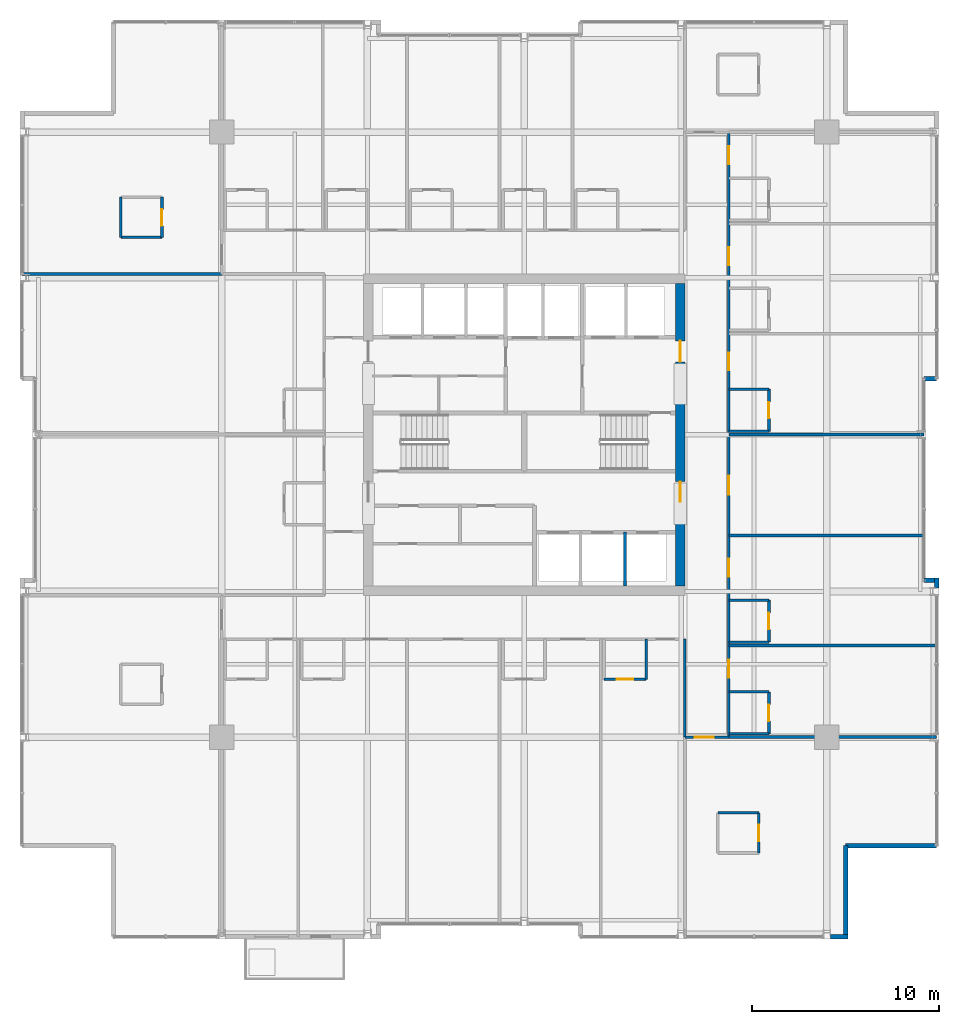
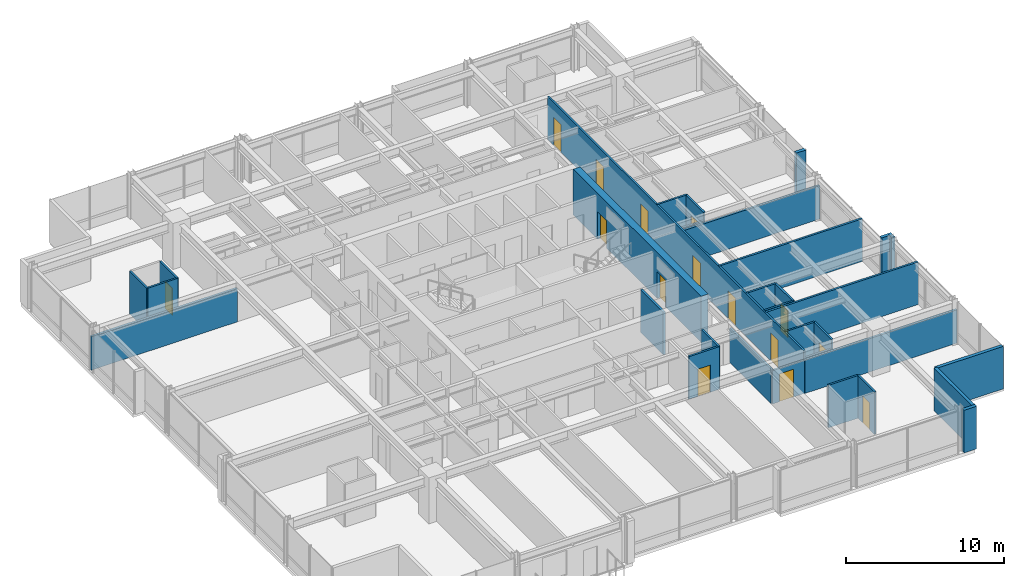
# One storey, part 28 of 32: 32 walls, 15 doors, 15 openings.
"""IFC4 building model written with IfcOpenShell, lengths in metres."""

from ifc_helpers import new_model, si_unit, direction, frame, frame_2d, origin, place, context, subcontext, project, spatial, rectangle, extrude, material, layer, layer_set, type_object, element, fill, save


model = new_model("IFC4")

# Units and contexts
model_context = context("Model", 3, precision=1e-05, world=origin(), true_north=direction((0.0, 1.0)))
body_context = subcontext(model_context, "Body", "Model", "MODEL_VIEW")
ifc_project = project(units=[si_unit("LENGTHUNIT", "METRE"), si_unit("AREAUNIT", "SQUARE_METRE"), si_unit("VOLUMEUNIT", "CUBIC_METRE"), si_unit("PLANEANGLEUNIT", "RADIAN"), si_unit("MASSUNIT", "GRAM", prefix="KILO")], contexts=[model_context])

# Site, building, storey
site_placement = place(None, origin())
site = spatial("IfcSite", under=ifc_project, at=site_placement, CompositionType="ELEMENT")
building_placement = place(site_placement, origin())
building = spatial("IfcBuilding", under=site, at=building_placement, Name="Drelvath Grand Hotel", CompositionType="ELEMENT")
storey_placement = place(building_placement, frame((0.0, 0.0, 157.5)))
storey = spatial("IfcBuildingStorey", under=building, at=storey_placement, Name="L40", CompositionType="ELEMENT", Elevation=157.5)

# Walls
ifc_material_1 = material(Name="Gypsum Fireboard Partition")
ifc_layer_1 = layer(ifc_material_1, 0.1650390625)
ifc_layer_set_1 = layer_set([ifc_layer_1], Name="Gypsum Fireboard Partition")
wall_type_1 = type_object("IfcWallType", Name="Core Shaft Partition 165", PredefinedType="PARTITIONING", material=ifc_layer_set_1)
wall_1_placement = place(storey_placement, frame((5.39990234375, 18.89990234375, 0.0), z_axis=(0.0, 0.0, 1.0), x_axis=(0.0, 1.0, 0.0)))
element("IfcWall", 1, at=wall_1_placement, inside=storey, type_object=wall_type_1, Name="L40 Lift PE-5/6 Divider", PredefinedType="PARTITIONING", context=body_context, shape_type="SweptSolid", body=[
    extrude(rectangle(XDim=2.880126953125, YDim=0.1650390625, at=frame_2d((1.43994140625, 0.0))), origin(), (0.0, 0.0, 1.0), 3.2900390625),
])
ifc_layer_2 = layer(ifc_material_1, 0.135009765625)
ifc_layer_set_2 = layer_set([ifc_layer_2], Name="Gypsum Fireboard Partition")
wall_type_2 = type_object("IfcWallType", Name="Corridor Fire Barrier Wall 135", PredefinedType="PARTITIONING", material=ifc_layer_set_2)
wall_2_placement = place(storey_placement, frame((8.60009765625, 10.800048828125, 0.0), z_axis=(0.0, 0.0, 1.0), x_axis=(0.0, 1.0, 0.0)))
element("IfcWall", 2, at=wall_2_placement, inside=storey, type_object=wall_type_2, Name="L40 East Spine South Inner Wall", PredefinedType="PARTITIONING", context=body_context, shape_type="SweptSolid", body=[
    extrude(rectangle(XDim=5.25, YDim=0.135009765625, at=frame_2d((2.625, 0.0))), origin(), (0.0, 0.0, 1.0), 2.66748046875),
])

# Wall, openings, doors
wall_3_placement = place(storey_placement, frame((10.949951171875, 10.800048828125, 0.0), z_axis=(0.0, 0.0, 1.0), x_axis=(0.0, 1.0, 0.0)))
wall_3 = element("IfcWall", 3, at=wall_3_placement, inside=storey, type_object=wall_type_2, Name="L40 East Spine Corridor Wall", PredefinedType="PARTITIONING", context=body_context, shape_type="SweptSolid", body=[
    extrude(rectangle(XDim=32.39990234375, YDim=0.135009765625, at=frame_2d((16.199951171875, 0.0))), origin(), (0.0, 0.0, 1.0), 3.2900390625),
])
opening_1_placement = place(wall_3_placement, frame((3.189453125, 0.0, 0.0)))
opening_1 = element("IfcOpeningElement", 4, at=opening_1_placement, cuts=wall_3, Name="Opening D-T3G1-054", PredefinedType="OPENING", context=body_context, shape_type="SweptSolid", body=[
    extrude(rectangle(XDim=0.9599609375, YDim=2.14990234375, at=frame_2d((0.47998046875, 1.074951171875))), frame((0.0, 0.077392578125, 0.0), z_axis=(0.0, -1.0, 0.0), x_axis=(1.0, 0.0, 0.0)), (0.0, 0.0, 1.0), 0.155029296875),
])
opening_2_placement = place(wall_3_placement, frame((8.589599609375, 0.0, 0.0)))
opening_2 = element("IfcOpeningElement", 5, at=opening_2_placement, cuts=wall_3, Name="Opening D-T3G1-056", PredefinedType="OPENING", context=body_context, shape_type="SweptSolid", body=[
    extrude(rectangle(XDim=0.9599609375, YDim=2.14990234375, at=frame_2d((0.47998046875, 1.074951171875))), frame((0.0, 0.077392578125, 0.0), z_axis=(0.0, -1.0, 0.0), x_axis=(1.0, 0.0, 0.0)), (0.0, 0.0, 1.0), 0.155029296875),
])
opening_3_placement = place(wall_3_placement, frame((12.989990234375, 0.0, 0.0)))
opening_3 = element("IfcOpeningElement", 6, at=opening_3_placement, cuts=wall_3, Name="Opening D-T3G1-057", PredefinedType="OPENING", context=body_context, shape_type="SweptSolid", body=[
    extrude(rectangle(XDim=1.02001953125, YDim=2.14990234375, at=frame_2d((0.510009765625, 1.074951171875))), frame((0.0, 0.077392578125, 0.0), z_axis=(0.0, -1.0, 0.0), x_axis=(1.0, 0.0, 0.0)), (0.0, 0.0, 1.0), 0.155029296875),
])
opening_4_placement = place(wall_3_placement, frame((19.635009765625, 0.0, 0.0)))
opening_4 = element("IfcOpeningElement", 7, at=opening_4_placement, cuts=wall_3, Name="Opening D-T3G1-059", PredefinedType="OPENING", context=body_context, shape_type="SweptSolid", body=[
    extrude(rectangle(XDim=0.9599609375, YDim=2.14990234375, at=frame_2d((0.47998046875, 1.074951171875))), frame((0.0, 0.077392578125, 0.0), z_axis=(0.0, -1.0, 0.0), x_axis=(1.0, 0.0, 0.0)), (0.0, 0.0, 1.0), 0.155029296875),
])
opening_5_placement = place(wall_3_placement, frame((25.280517578125, 0.0, 0.0)))
opening_5 = element("IfcOpeningElement", 8, at=opening_5_placement, cuts=wall_3, Name="Opening D-T3G1-061", PredefinedType="OPENING", context=body_context, shape_type="SweptSolid", body=[
    extrude(rectangle(XDim=0.9599609375, YDim=2.14990234375, at=frame_2d((0.47998046875, 1.074951171875))), frame((0.0, 0.077392578125, 0.0), z_axis=(0.0, -1.0, 0.0), x_axis=(1.0, 0.0, 0.0)), (0.0, 0.0, 1.0), 0.155029296875),
])
opening_6_placement = place(wall_3_placement, frame((30.680419921875, 0.0, 0.0)))
opening_6 = element("IfcOpeningElement", 9, at=opening_6_placement, cuts=wall_3, Name="Opening D-T3G1-063", PredefinedType="OPENING", context=body_context, shape_type="SweptSolid", body=[
    extrude(rectangle(XDim=0.9599609375, YDim=2.14990234375, at=frame_2d((0.47998046875, 1.074951171875))), frame((0.0, 0.077392578125, 0.0), z_axis=(0.0, -1.0, 0.0), x_axis=(1.0, 0.0, 0.0)), (0.0, 0.0, 1.0), 0.155029296875),
])
ifc_material_2 = material(Name="Hardwood Walnut Timber", Category="wood")
door_type_1 = type_object("IfcDoorType", Name="Amenity Meeting Fire Door 1020x2150", OperationType="NOTDEFINED", PredefinedType="DOOR", material=ifc_material_2)
door_1_placement = place(opening_3_placement, origin())
door_1 = element("IfcDoor", 10, at=door_1_placement, inside=storey, type_object=door_type_1, Name="L40 Spa Treatment Room Entry Door", OperationType="SINGLE_SWING_LEFT", OverallHeight=2.14990234375, OverallWidth=1.02001953125, PredefinedType="DOOR", context=body_context, shape_type="SweptSolid", body=[
    extrude(rectangle(XDim=1.02001953125, YDim=2.14990234375, at=frame_2d((0.510009765625, 1.074951171875))), frame((0.0, 0.02490234375, 0.0), z_axis=(0.0, -1.0, 0.0), x_axis=(1.0, 0.0, 0.0)), (0.0, 0.0, 1.0), 0.050048828125),
])
fill(opening_3, door_1)
door_type_2 = type_object("IfcDoorType", Name="Guestroom Entrance Fire Door 960x2150", OperationType="NOTDEFINED", PredefinedType="DOOR", material=ifc_material_2)
door_2_placement = place(opening_1_placement, origin())
door_2 = element("IfcDoor", 11, at=door_2_placement, inside=storey, type_object=door_type_2, Name="L40 King Guest Room Entry Door", OperationType="SINGLE_SWING_RIGHT", OverallHeight=2.14990234375, OverallWidth=0.9599609375, PredefinedType="DOOR", context=body_context, shape_type="SweptSolid", body=[
    extrude(rectangle(XDim=0.9599609375, YDim=2.14990234375, at=frame_2d((0.47998046875, 1.074951171875))), frame((0.0, 0.02490234375, 0.0), z_axis=(0.0, -1.0, 0.0), x_axis=(1.0, 0.0, 0.0)), (0.0, 0.0, 1.0), 0.050048828125),
])
fill(opening_1, door_2)
door_3_placement = place(opening_2_placement, origin())
door_3 = element("IfcDoor", 12, at=door_3_placement, inside=storey, type_object=door_type_2, Name="L40 King Guest Room Entry Door", OperationType="SINGLE_SWING_RIGHT", OverallHeight=2.14990234375, OverallWidth=0.9599609375, PredefinedType="DOOR", context=body_context, shape_type="SweptSolid", body=[
    extrude(rectangle(XDim=0.9599609375, YDim=2.14990234375, at=frame_2d((0.47998046875, 1.074951171875))), frame((0.0, 0.02490234375, 0.0), z_axis=(0.0, -1.0, 0.0), x_axis=(1.0, 0.0, 0.0)), (0.0, 0.0, 1.0), 0.050048828125),
])
fill(opening_2, door_3)
door_4_placement = place(opening_4_placement, origin())
door_4 = element("IfcDoor", 13, at=door_4_placement, inside=storey, type_object=door_type_2, Name="L40 King Guest Room Entry Door", OperationType="SINGLE_SWING_LEFT", OverallHeight=2.14990234375, OverallWidth=0.9599609375, PredefinedType="DOOR", context=body_context, shape_type="SweptSolid", body=[
    extrude(rectangle(XDim=0.9599609375, YDim=2.14990234375, at=frame_2d((0.47998046875, 1.074951171875))), frame((0.0, 0.02490234375, 0.0), z_axis=(0.0, -1.0, 0.0), x_axis=(1.0, 0.0, 0.0)), (0.0, 0.0, 1.0), 0.050048828125),
])
fill(opening_4, door_4)
door_5_placement = place(opening_5_placement, origin())
door_5 = element("IfcDoor", 14, at=door_5_placement, inside=storey, type_object=door_type_2, Name="L40 King Guest Room Entry Door", OperationType="SINGLE_SWING_LEFT", OverallHeight=2.14990234375, OverallWidth=0.9599609375, PredefinedType="DOOR", context=body_context, shape_type="SweptSolid", body=[
    extrude(rectangle(XDim=0.9599609375, YDim=2.14990234375, at=frame_2d((0.47998046875, 1.074951171875))), frame((0.0, 0.02490234375, 0.0), z_axis=(0.0, -1.0, 0.0), x_axis=(1.0, 0.0, 0.0)), (0.0, 0.0, 1.0), 0.050048828125),
])
fill(opening_5, door_5)
door_6_placement = place(opening_6_placement, origin())
door_6 = element("IfcDoor", 15, at=door_6_placement, inside=storey, type_object=door_type_2, Name="L40 King Guest Room Entry Door", OperationType="SINGLE_SWING_LEFT", OverallHeight=2.14990234375, OverallWidth=0.9599609375, PredefinedType="DOOR", context=body_context, shape_type="SweptSolid", body=[
    extrude(rectangle(XDim=0.9599609375, YDim=2.14990234375, at=frame_2d((0.47998046875, 1.074951171875))), frame((0.0, 0.02490234375, 0.0), z_axis=(0.0, -1.0, 0.0), x_axis=(1.0, 0.0, 0.0)), (0.0, 0.0, 1.0), 0.050048828125),
])
fill(opening_6, door_6)

# Wall, opening, door
wall_4_placement = place(storey_placement, frame((8.60009765625, 10.800048828125, 0.0), z_axis=(0.0, 0.0, 1.0), x_axis=(1.0, 0.0, 0.0)))
wall_4 = element("IfcWall", 16, at=wall_4_placement, inside=storey, type_object=wall_type_2, Name="L40 East Spine South End", PredefinedType="PARTITIONING", context=body_context, shape_type="SweptSolid", body=[
    extrude(rectangle(XDim=2.349853515625, YDim=0.135009765625, at=frame_2d((1.1748046875, 0.0))), origin(), (0.0, 0.0, 1.0), 2.57958984375),
])
opening_7_placement = place(wall_4_placement, frame((0.52001953125, 0.0, 0.0)))
opening_7 = element("IfcOpeningElement", 17, at=opening_7_placement, cuts=wall_4, Name="Opening D-T3G1-031", PredefinedType="OPENING", context=body_context, shape_type="SweptSolid", body=[
    extrude(rectangle(XDim=1.02001953125, YDim=2.14990234375, at=frame_2d((0.510009765625, 1.074951171875))), frame((0.0, 0.077392578125, 0.0), z_axis=(0.0, -1.0, 0.0), x_axis=(1.0, 0.0, 0.0)), (0.0, 0.0, 1.0), 0.155029296875),
])
door_7_placement = place(opening_7_placement, origin())
door_7 = element("IfcDoor", 18, at=door_7_placement, inside=storey, type_object=door_type_1, Name="L40 Executive Suite Entry Door", OperationType="SINGLE_SWING_LEFT", OverallHeight=2.14990234375, OverallWidth=1.02001953125, PredefinedType="DOOR", context=body_context, shape_type="SweptSolid", body=[
    extrude(rectangle(XDim=1.02001953125, YDim=2.14990234375, at=frame_2d((0.510009765625, 1.074951171875))), frame((0.0, 0.02490234375, 0.0), z_axis=(0.0, -1.0, 0.0), x_axis=(1.0, 0.0, 0.0)), (0.0, 0.0, 1.0), 0.050048828125),
])
fill(opening_7, door_7)

# Walls
ifc_material_3 = material(Name="Moisture-Resistant Gypsum Board")
ifc_layer_3 = layer(ifc_material_3, 0.139892578125)
ifc_layer_set_3 = layer_set([ifc_layer_3], Name="Moisture-Resistant Gypsum Board")
wall_type_3 = type_object("IfcWallType", Name="En-Suite Plumbing Wall 140", PredefinedType="PLUMBINGWALL", material=ifc_layer_set_3)
wall_5_placement = place(storey_placement, frame((-21.60009765625, 37.56005859375, 0.0), z_axis=(0.0, 0.0, 1.0), x_axis=(1.0, 0.0, 0.0)))
element("IfcWall", 19, at=wall_5_placement, inside=storey, type_object=wall_type_3, Name="L40 Corner En-Suite South", PredefinedType="PLUMBINGWALL", context=body_context, shape_type="SweptSolid", body=[
    extrude(rectangle(XDim=2.2001953125, YDim=0.139892578125, at=frame_2d((1.10009765625, 0.0))), origin(), (0.0, 0.0, 1.0), 3.2900390625),
])
wall_6_placement = place(storey_placement, frame((-21.60009765625, 37.56005859375, 0.0), z_axis=(0.0, 0.0, 1.0), x_axis=(0.0, 1.0, 0.0)))
element("IfcWall", 20, at=wall_6_placement, inside=storey, type_object=wall_type_3, Name="L40 Corner En-Suite West", PredefinedType="PLUMBINGWALL", context=body_context, shape_type="SweptSolid", body=[
    extrude(rectangle(XDim=2.14990234375, YDim=0.139892578125, at=frame_2d((1.074951171875, 0.0))), origin(), (0.0, 0.0, 1.0), 3.2900390625),
])

# Wall, opening, door
wall_7_placement = place(storey_placement, frame((-19.39990234375, 37.56005859375, 0.0), z_axis=(0.0, 0.0, 1.0), x_axis=(0.0, 1.0, 0.0)))
wall_7 = element("IfcWall", 21, at=wall_7_placement, inside=storey, type_object=wall_type_3, Name="L40 Corner En-Suite East", PredefinedType="PLUMBINGWALL", context=body_context, shape_type="SweptSolid", body=[
    extrude(rectangle(XDim=2.14990234375, YDim=0.139892578125, at=frame_2d((1.074951171875, 0.0))), origin(), (0.0, 0.0, 1.0), 3.2900390625),
])
opening_8_placement = place(wall_7_placement, frame((0.6201171875, 0.0, 0.0)))
opening_8 = element("IfcOpeningElement", 22, at=opening_8_placement, cuts=wall_7, Name="Opening D-T3G1-028", PredefinedType="OPENING", context=body_context, shape_type="SweptSolid", body=[
    extrude(rectangle(XDim=0.8798828125, YDim=2.10009765625, at=frame_2d((0.43994140625, 1.050048828125))), frame((0.0, 0.079833984375, 0.0), z_axis=(0.0, -1.0, 0.0), x_axis=(1.0, 0.0, 0.0)), (0.0, 0.0, 1.0), 0.159912109375),
])
door_type_3 = type_object("IfcDoorType", Name="En-Suite Bathroom Door 880x2100", OperationType="NOTDEFINED", PredefinedType="DOOR", material=ifc_material_2)
door_8_placement = place(opening_8_placement, origin())
door_8 = element("IfcDoor", 23, at=door_8_placement, inside=storey, type_object=door_type_3, Name="L40 Corner En-Suite Door", OperationType="SINGLE_SWING_RIGHT", OverallHeight=2.10009765625, OverallWidth=0.8798828125, PredefinedType="DOOR", context=body_context, shape_type="SweptSolid", body=[
    extrude(rectangle(XDim=0.8798828125, YDim=2.10009765625, at=frame_2d((0.43994140625, 1.050048828125))), frame((0.0, 0.02490234375, 0.0), z_axis=(0.0, -1.0, 0.0), x_axis=(1.0, 0.0, 0.0)), (0.0, 0.0, 1.0), 0.050048828125),
])
fill(opening_8, door_8)

# Wall
wall_8_placement = place(storey_placement, frame((10.360107421875, 6.75, 0.0), z_axis=(0.0, 0.0, 1.0), x_axis=(1.0, 0.0, 0.0)))
element("IfcWall", 24, at=wall_8_placement, inside=storey, type_object=wall_type_3, Name="L40 Corner En-Suite North", PredefinedType="PLUMBINGWALL", context=body_context, shape_type="SweptSolid", body=[
    extrude(rectangle(XDim=2.199951171875, YDim=0.139892578125, at=frame_2d((1.10009765625, 0.0))), origin(), (0.0, 0.0, 1.0), 3.2900390625),
])

# Wall, opening, door
wall_9_placement = place(storey_placement, frame((12.56005859375, 4.60009765625, 0.0), z_axis=(0.0, 0.0, 1.0), x_axis=(0.0, 1.0, 0.0)))
wall_9 = element("IfcWall", 25, at=wall_9_placement, inside=storey, type_object=wall_type_3, Name="L40 Corner En-Suite East", PredefinedType="PLUMBINGWALL", context=body_context, shape_type="SweptSolid", body=[
    extrude(rectangle(XDim=2.14990234375, YDim=0.139892578125, at=frame_2d((1.074951171875, 0.0))), origin(), (0.0, 0.0, 1.0), 3.2900390625),
])
opening_9_placement = place(wall_9_placement, frame((0.6201171875, 0.0, 0.0)))
opening_9 = element("IfcOpeningElement", 26, at=opening_9_placement, cuts=wall_9, Name="Opening D-T3G1-030", PredefinedType="OPENING", context=body_context, shape_type="SweptSolid", body=[
    extrude(rectangle(XDim=0.8798828125, YDim=2.10009765625, at=frame_2d((0.43994140625, 1.050048828125))), frame((0.0, 0.079833984375, 0.0), z_axis=(0.0, -1.0, 0.0), x_axis=(1.0, 0.0, 0.0)), (0.0, 0.0, 1.0), 0.159912109375),
])
door_9_placement = place(opening_9_placement, origin())
door_9 = element("IfcDoor", 27, at=door_9_placement, inside=storey, type_object=door_type_3, Name="L40 Corner En-Suite Door", OperationType="SINGLE_SWING_RIGHT", OverallHeight=2.10009765625, OverallWidth=0.8798828125, PredefinedType="DOOR", context=body_context, shape_type="SweptSolid", body=[
    extrude(rectangle(XDim=0.8798828125, YDim=2.10009765625, at=frame_2d((0.43994140625, 1.050048828125))), frame((0.0, 0.02490234375, 0.0), z_axis=(0.0, -1.0, 0.0), x_axis=(1.0, 0.0, 0.0)), (0.0, 0.0, 1.0), 0.050048828125),
])
fill(opening_9, door_9)

# Wall
wall_10_placement = place(storey_placement, frame((6.52099609375, 16.050048828125, 0.0), z_axis=(0.0, 0.0, 1.0), x_axis=(0.0, -1.0, 0.0)))
element("IfcWall", 28, at=wall_10_placement, inside=storey, type_object=wall_type_3, Name="L40 En-Suite Right Wall", PredefinedType="PLUMBINGWALL", context=body_context, shape_type="SweptSolid", body=[
    extrude(rectangle(XDim=2.150146484375, YDim=0.139892578125, at=frame_2d((1.0751953125, 0.0))), origin(), (0.0, 0.0, 1.0), 3.2900390625),
])

# Wall, opening, door
wall_11_placement = place(storey_placement, frame((4.27099609375, 13.89990234375, 0.0), z_axis=(0.0, 0.0, 1.0), x_axis=(1.0, 0.0, 0.0)))
wall_11 = element("IfcWall", 29, at=wall_11_placement, inside=storey, type_object=wall_type_3, Name="L40 En-Suite Front Wall", PredefinedType="PLUMBINGWALL", context=body_context, shape_type="SweptSolid", body=[
    extrude(rectangle(XDim=2.25, YDim=0.139892578125, at=frame_2d((1.125, 0.0))), origin(), (0.0, 0.0, 1.0), 3.2900390625),
])
opening_10_placement = place(wall_11_placement, frame((0.68505859375, 0.0, 0.0)))
opening_10 = element("IfcOpeningElement", 30, at=opening_10_placement, cuts=wall_11, Name="Opening D-T3G1-041", PredefinedType="OPENING", context=body_context, shape_type="SweptSolid", body=[
    extrude(rectangle(XDim=0.8798828125, YDim=2.10009765625, at=frame_2d((0.43994140625, 1.050048828125))), frame((0.0, 0.079833984375, 0.0), z_axis=(0.0, -1.0, 0.0), x_axis=(1.0, 0.0, 0.0)), (0.0, 0.0, 1.0), 0.159912109375),
])
door_10_placement = place(opening_10_placement, origin())
door_10 = element("IfcDoor", 31, at=door_10_placement, inside=storey, type_object=door_type_3, Name="L40 En-Suite Bathroom Door", OperationType="SINGLE_SWING_LEFT", OverallHeight=2.10009765625, OverallWidth=0.8798828125, PredefinedType="DOOR", context=body_context, shape_type="SweptSolid", body=[
    extrude(rectangle(XDim=0.8798828125, YDim=2.10009765625, at=frame_2d((0.43994140625, 1.050048828125))), frame((0.0, 0.02490234375, 0.0), z_axis=(0.0, -1.0, 0.0), x_axis=(1.0, 0.0, 0.0)), (0.0, 0.0, 1.0), 0.050048828125),
])
fill(opening_10, door_10)

# Walls
wall_12_placement = place(storey_placement, frame((10.949951171875, 10.97998046875, 0.0), z_axis=(0.0, 0.0, 1.0), x_axis=(1.0, 0.0, 0.0)))
element("IfcWall", 32, at=wall_12_placement, inside=storey, type_object=wall_type_3, Name="L40 En-Suite Left Wall", PredefinedType="PLUMBINGWALL", context=body_context, shape_type="SweptSolid", body=[
    extrude(rectangle(XDim=2.150146484375, YDim=0.139892578125, at=frame_2d((1.0751953125, 0.0))), origin(), (0.0, 0.0, 1.0), 2.57958984375),
])
wall_13_placement = place(storey_placement, frame((10.949951171875, 13.22998046875, 0.0), z_axis=(0.0, 0.0, 1.0), x_axis=(1.0, 0.0, 0.0)))
element("IfcWall", 33, at=wall_13_placement, inside=storey, type_object=wall_type_3, Name="L40 En-Suite Right Wall", PredefinedType="PLUMBINGWALL", context=body_context, shape_type="SweptSolid", body=[
    extrude(rectangle(XDim=2.150146484375, YDim=0.139892578125, at=frame_2d((1.0751953125, 0.0))), origin(), (0.0, 0.0, 1.0), 3.2900390625),
])

# Wall, opening, door
wall_14_placement = place(storey_placement, frame((13.10009765625, 10.97998046875, 0.0), z_axis=(0.0, 0.0, 1.0), x_axis=(0.0, 1.0, 0.0)))
wall_14 = element("IfcWall", 34, at=wall_14_placement, inside=storey, type_object=wall_type_3, Name="L40 En-Suite Front Wall", PredefinedType="PLUMBINGWALL", context=body_context, shape_type="SweptSolid", body=[
    extrude(rectangle(XDim=2.25, YDim=0.139892578125, at=frame_2d((1.125, 0.0))), origin(), (0.0, 0.0, 1.0), 3.2900390625),
])
opening_11_placement = place(wall_14_placement, frame((0.68505859375, 0.0, 0.0)))
opening_11 = element("IfcOpeningElement", 35, at=opening_11_placement, cuts=wall_14, Name="Opening D-T3G1-053", PredefinedType="OPENING", context=body_context, shape_type="SweptSolid", body=[
    extrude(rectangle(XDim=0.8798828125, YDim=2.10009765625, at=frame_2d((0.43994140625, 1.050048828125))), frame((0.0, 0.079833984375, 0.0), z_axis=(0.0, -1.0, 0.0), x_axis=(1.0, 0.0, 0.0)), (0.0, 0.0, 1.0), 0.159912109375),
])
door_11_placement = place(opening_11_placement, origin())
door_11 = element("IfcDoor", 36, at=door_11_placement, inside=storey, type_object=door_type_3, Name="L40 En-Suite Bathroom Door", OperationType="SINGLE_SWING_LEFT", OverallHeight=2.10009765625, OverallWidth=0.8798828125, PredefinedType="DOOR", context=body_context, shape_type="SweptSolid", body=[
    extrude(rectangle(XDim=0.8798828125, YDim=2.10009765625, at=frame_2d((0.43994140625, 1.050048828125))), frame((0.0, 0.02490234375, 0.0), z_axis=(0.0, -1.0, 0.0), x_axis=(1.0, 0.0, 0.0)), (0.0, 0.0, 1.0), 0.050048828125),
])
fill(opening_11, door_11)

# Walls
for number, where, z_axis, x_axis, name in (
    (37, (10.949951171875, 15.88916015625, 0.0), (0.0, 0.0, 1.0), (1.0, 0.0, 0.0), "L40 En-Suite Left Wall"),
    (38, (10.949951171875, 18.13916015625, 0.0), (0.0, 0.0, 1.0), (1.0, 0.0, 0.0), "L40 En-Suite Right Wall"),
):
    element("IfcWall", number, at=place(storey_placement, frame(where, z_axis=z_axis, x_axis=x_axis)), inside=storey, type_object=wall_type_3, Name=name, PredefinedType="PLUMBINGWALL", context=body_context, shape_type="SweptSolid", body=[
        extrude(rectangle(XDim=2.150146484375, YDim=0.139892578125, at=frame_2d((1.0751953125, 0.0))), origin(), (0.0, 0.0, 1.0), 3.2900390625),
    ])

# Wall, opening, door
wall_15_placement = place(storey_placement, frame((13.10009765625, 15.88916015625, 0.0), z_axis=(0.0, 0.0, 1.0), x_axis=(0.0, 1.0, 0.0)))
wall_15 = element("IfcWall", 39, at=wall_15_placement, inside=storey, type_object=wall_type_3, Name="L40 En-Suite Front Wall", PredefinedType="PLUMBINGWALL", context=body_context, shape_type="SweptSolid", body=[
    extrude(rectangle(XDim=2.25, YDim=0.139892578125, at=frame_2d((1.125, 0.0))), origin(), (0.0, 0.0, 1.0), 3.2900390625),
])
opening_12_placement = place(wall_15_placement, frame((0.68505859375, 0.0, 0.0)))
opening_12 = element("IfcOpeningElement", 40, at=opening_12_placement, cuts=wall_15, Name="Opening D-T3G1-055", PredefinedType="OPENING", context=body_context, shape_type="SweptSolid", body=[
    extrude(rectangle(XDim=0.8798828125, YDim=2.10009765625, at=frame_2d((0.43994140625, 1.050048828125))), frame((0.0, 0.079833984375, 0.0), z_axis=(0.0, -1.0, 0.0), x_axis=(1.0, 0.0, 0.0)), (0.0, 0.0, 1.0), 0.159912109375),
])
door_12_placement = place(opening_12_placement, origin())
door_12 = element("IfcDoor", 41, at=door_12_placement, inside=storey, type_object=door_type_3, Name="L40 En-Suite Bathroom Door", OperationType="SINGLE_SWING_LEFT", OverallHeight=2.10009765625, OverallWidth=0.8798828125, PredefinedType="DOOR", context=body_context, shape_type="SweptSolid", body=[
    extrude(rectangle(XDim=0.8798828125, YDim=2.10009765625, at=frame_2d((0.43994140625, 1.050048828125))), frame((0.0, 0.02490234375, 0.0), z_axis=(0.0, -1.0, 0.0), x_axis=(1.0, 0.0, 0.0)), (0.0, 0.0, 1.0), 0.050048828125),
])
fill(opening_12, door_12)

# Walls
wall_16_placement = place(storey_placement, frame((10.949951171875, 27.179931640625, 0.0), z_axis=(0.0, 0.0, 1.0), x_axis=(1.0, 0.0, 0.0)))
element("IfcWall", 42, at=wall_16_placement, inside=storey, type_object=wall_type_3, Name="L40 En-Suite Left Wall", PredefinedType="PLUMBINGWALL", context=body_context, shape_type="SweptSolid", body=[
    extrude(rectangle(XDim=2.150146484375, YDim=0.139892578125, at=frame_2d((1.0751953125, 0.0))), origin(), (0.0, 0.0, 1.0), 2.66748046875),
])
wall_17_placement = place(storey_placement, frame((10.949951171875, 29.429931640625, 0.0), z_axis=(0.0, 0.0, 1.0), x_axis=(1.0, 0.0, 0.0)))
element("IfcWall", 43, at=wall_17_placement, inside=storey, type_object=wall_type_3, Name="L40 En-Suite Right Wall", PredefinedType="PLUMBINGWALL", context=body_context, shape_type="SweptSolid", body=[
    extrude(rectangle(XDim=2.150146484375, YDim=0.139892578125, at=frame_2d((1.0751953125, 0.0))), origin(), (0.0, 0.0, 1.0), 3.2900390625),
])

# Wall, opening, door
wall_18_placement = place(storey_placement, frame((13.10009765625, 27.179931640625, 0.0), z_axis=(0.0, 0.0, 1.0), x_axis=(0.0, 1.0, 0.0)))
wall_18 = element("IfcWall", 44, at=wall_18_placement, inside=storey, type_object=wall_type_3, Name="L40 En-Suite Front Wall", PredefinedType="PLUMBINGWALL", context=body_context, shape_type="SweptSolid", body=[
    extrude(rectangle(XDim=2.25, YDim=0.139892578125, at=frame_2d((1.125, 0.0))), origin(), (0.0, 0.0, 1.0), 3.2900390625),
])
opening_13_placement = place(wall_18_placement, frame((0.68505859375, 0.0, 0.0)))
opening_13 = element("IfcOpeningElement", 45, at=opening_13_placement, cuts=wall_18, Name="Opening D-T3G1-058", PredefinedType="OPENING", context=body_context, shape_type="SweptSolid", body=[
    extrude(rectangle(XDim=0.8798828125, YDim=2.10009765625, at=frame_2d((0.43994140625, 1.050048828125))), frame((0.0, 0.079833984375, 0.0), z_axis=(0.0, -1.0, 0.0), x_axis=(1.0, 0.0, 0.0)), (0.0, 0.0, 1.0), 0.159912109375),
])
door_13_placement = place(opening_13_placement, origin())
door_13 = element("IfcDoor", 46, at=door_13_placement, inside=storey, type_object=door_type_3, Name="L40 En-Suite Bathroom Door", OperationType="SINGLE_SWING_RIGHT", OverallHeight=2.10009765625, OverallWidth=0.8798828125, PredefinedType="DOOR", context=body_context, shape_type="SweptSolid", body=[
    extrude(rectangle(XDim=0.8798828125, YDim=2.10009765625, at=frame_2d((0.43994140625, 1.050048828125))), frame((0.0, 0.02490234375, 0.0), z_axis=(0.0, -1.0, 0.0), x_axis=(1.0, 0.0, 0.0)), (0.0, 0.0, 1.0), 0.050048828125),
])
fill(opening_13, door_13)

# Walls
ifc_material_4 = material(Name="Gypsum Acoustic Partition")
ifc_layer_4 = layer(ifc_material_4, 0.14990234375)
ifc_layer_set_4 = layer_set([ifc_layer_4], Name="Gypsum Acoustic Partition")
wall_type_4 = type_object("IfcWallType", Name="Guestroom Demising Wall 150", PredefinedType="PARTITIONING", material=ifc_layer_set_4)
wall_19_placement = place(storey_placement, frame((10.949951171875, 15.708984375, 0.0), z_axis=(0.0, 0.0, 1.0), x_axis=(1.0, 0.0, 0.0)))
element("IfcWall", 47, at=wall_19_placement, inside=storey, type_object=wall_type_4, Name="L40 East Demising 1", PredefinedType="PARTITIONING", context=body_context, shape_type="SweptSolid", body=[
    extrude(rectangle(XDim=11.130126953125, YDim=0.14990234375, at=frame_2d((5.56494140625, 0.0))), origin(), (0.0, 0.0, 1.0), 3.2900390625),
])
wall_20_placement = place(storey_placement, frame((10.949951171875, 21.60009765625, 0.0), z_axis=(0.0, 0.0, 1.0), x_axis=(1.0, 0.0, 0.0)))
element("IfcWall", 48, at=wall_20_placement, inside=storey, type_object=wall_type_4, Name="L40 East Demising 2", PredefinedType="PARTITIONING", context=body_context, shape_type="SweptSolid", body=[
    extrude(rectangle(XDim=10.449951171875, YDim=0.14990234375, at=frame_2d((5.22509765625, 0.0))), origin(), (0.0, 0.0, 1.0), 3.2900390625),
])
wall_21_placement = place(storey_placement, frame((10.949951171875, 27.0, 0.0), z_axis=(0.0, 0.0, 1.0), x_axis=(1.0, 0.0, 0.0)))
element("IfcWall", 49, at=wall_21_placement, inside=storey, type_object=wall_type_4, Name="L40 East Demising 3", PredefinedType="PARTITIONING", context=body_context, shape_type="SweptSolid", body=[
    extrude(rectangle(XDim=10.449951171875, YDim=0.14990234375, at=frame_2d((5.22509765625, 0.0))), origin(), (0.0, 0.0, 1.0), 2.57958984375),
])
ifc_layer_5 = layer(ifc_material_4, 0.1650390625)
ifc_layer_set_5 = layer_set([ifc_layer_5], Name="Gypsum Acoustic Partition")
wall_type_5 = type_object("IfcWallType", Name="Suite Demising Wall 165", PredefinedType="PARTITIONING", material=ifc_layer_set_5)
wall_22_placement = place(storey_placement, frame((10.949951171875, 10.800048828125, 0.0), z_axis=(0.0, 0.0, 1.0), x_axis=(1.0, 0.0, 0.0)))
element("IfcWall", 50, at=wall_22_placement, inside=storey, type_object=wall_type_5, Name="L40 SE Suite North Wall", PredefinedType="PARTITIONING", context=body_context, shape_type="SweptSolid", body=[
    extrude(rectangle(XDim=11.130126953125, YDim=0.1650390625, at=frame_2d((5.56494140625, 0.0))), origin(), (0.0, 0.0, 1.0), 2.57958984375),
])
wall_23_placement = place(storey_placement, frame((-26.8798828125, 35.60009765625, 0.0), z_axis=(0.0, 0.0, 1.0), x_axis=(1.0, 0.0, 0.0)))
element("IfcWall", 51, at=wall_23_placement, inside=storey, type_object=wall_type_5, Name="L40 NW Suite South Wall", PredefinedType="PARTITIONING", context=body_context, shape_type="SweptSolid", body=[
    extrude(rectangle(XDim=10.679931640625, YDim=0.1650390625, at=frame_2d((5.33984375, 0.0))), origin(), (0.0, 0.0, 1.0), 2.57958984375),
])
ifc_material_5 = material(Name="Pale-Metal Insulated Aluminium Spandrel Assembly", Category="aluminium")
ifc_layer_6 = layer(ifc_material_5, 0.239990234375)
ifc_layer_set_6 = layer_set([ifc_layer_6], Name="Pale-Metal Insulated Aluminium Spandrel Assembly")
wall_type_6 = type_object("IfcWallType", Name="Tower Insulated Metal Spandrel Closure Wall 240", PredefinedType="STANDARD", material=ifc_layer_set_6)
wall_24_placement = place(storey_placement, frame((22.080078125, 19.320068359375, 0.0), z_axis=(0.0, 0.0, 1.0), x_axis=(0.0, -1.0, 0.0)))
element("IfcWall", 52, at=wall_24_placement, inside=storey, type_object=wall_type_6, Name="L40 Corner Pier Spandrel Wall ES3", PredefinedType="STANDARD", context=body_context, shape_type="SweptSolid", body=[
    extrude(rectangle(XDim=0.52001953125, YDim=0.239990234375, at=frame_2d((0.260009765625, 0.0))), origin(), (0.0, 0.0, 1.0), 3.2900390625),
])
wall_25_placement = place(storey_placement, frame((17.320068359375, 0.1201171875, 0.0), z_axis=(0.0, 0.0, 1.0), x_axis=(-1.0, 0.0, 0.0)))
element("IfcWall", 53, at=wall_25_placement, inside=storey, type_object=wall_type_6, Name="L40 Corner Pier Spandrel Wall SE3", PredefinedType="STANDARD", context=body_context, shape_type="SweptSolid", body=[
    extrude(rectangle(XDim=0.919921875, YDim=0.239990234375, at=frame_2d((0.4599609375, 0.0))), origin(), (0.0, 0.0, 1.0), 3.2900390625),
])
wall_26_placement = place(storey_placement, frame((22.080078125, 5.0, 0.0), z_axis=(0.0, 0.0, 1.0), x_axis=(-1.0, 0.0, 0.0)))
element("IfcWall", 54, at=wall_26_placement, inside=storey, type_object=wall_type_6, Name="L40 Notched Corner Return Spandrel Wall CSE1", PredefinedType="STANDARD", context=body_context, shape_type="SweptSolid", body=[
    extrude(rectangle(XDim=4.880126953125, YDim=0.239990234375, at=frame_2d((2.43994140625, 0.0))), origin(), (0.0, 0.0, 1.0), 3.2900390625),
])
wall_27_placement = place(storey_placement, frame((17.199951171875, 5.0, 0.0), z_axis=(0.0, 0.0, 1.0), x_axis=(0.0, -1.0, 0.0)))
element("IfcWall", 55, at=wall_27_placement, inside=storey, type_object=wall_type_6, Name="L40 Notched Corner Return Spandrel Wall CSE2", PredefinedType="STANDARD", context=body_context, shape_type="SweptSolid", body=[
    extrude(rectangle(XDim=4.760009765625, YDim=0.239990234375, at=frame_2d((2.3798828125, 0.0))), origin(), (0.0, 0.0, 1.0), 3.2900390625),
])
wall_28_placement = place(storey_placement, frame((22.080078125, 30.0, 0.0), z_axis=(0.0, 0.0, 1.0), x_axis=(-1.0, 0.0, 0.0)))
element("IfcWall", 56, at=wall_28_placement, inside=storey, type_object=wall_type_6, Name="L40 Notched Corner Return Spandrel Wall RE1", PredefinedType="STANDARD", context=body_context, shape_type="SweptSolid", body=[
    extrude(rectangle(XDim=0.68017578125, YDim=0.239990234375, at=frame_2d((0.340087890625, 0.0))), origin(), (0.0, 0.0, 1.0), 3.2900390625),
])
wall_29_placement = place(storey_placement, frame((21.39990234375, 19.199951171875, 0.0), z_axis=(0.0, 0.0, 1.0), x_axis=(1.0, 0.0, 0.0)))
element("IfcWall", 57, at=wall_29_placement, inside=storey, type_object=wall_type_6, Name="L40 Notched Corner Return Spandrel Wall RE2", PredefinedType="STANDARD", context=body_context, shape_type="SweptSolid", body=[
    extrude(rectangle(XDim=0.56005859375, YDim=0.239990234375, at=frame_2d((0.280029296875, 0.0))), origin(), (0.0, 0.0, 1.0), 3.2900390625),
])

# Wall, openings, doors
ifc_material_6 = material(Name="Concrete f'c 55 MPa", Category="concrete")
ifc_layer_7 = layer(ifc_material_6, 0.5)
ifc_layer_set_7 = layer_set([ifc_layer_7], Name="Concrete f'c 55 MPa")
wall_type_7 = type_object("IfcWallType", Name="Upper Core RC Shear Wall 500", PredefinedType="SHEAR", material=ifc_layer_set_7)
wall_30_placement = place(storey_placement, frame((8.35009765625, 35.10009765625, 0.0), z_axis=(0.0, 0.0, 1.0), x_axis=(0.0, -1.0, 0.0)))
wall_30 = element("IfcWall", 58, at=wall_30_placement, inside=storey, type_object=wall_type_7, Name="L40 Central Core Shear Wall E", PredefinedType="SHEAR", context=body_context, shape_type="SweptSolid", body=[
    extrude(rectangle(XDim=16.2001953125, YDim=0.5, at=frame_2d((8.10009765625, 0.0))), origin(), (0.0, 0.0, 1.0), 3.550048828125),
])
opening_14_placement = place(wall_30_placement, frame((3.080078125, 0.0, 0.0)))
opening_14 = element("IfcOpeningElement", 59, at=opening_14_placement, cuts=wall_30, Name="Opening D-T3G1-006", PredefinedType="OPENING", context=body_context, shape_type="SweptSolid", body=[
    extrude(rectangle(XDim=1.1201171875, YDim=2.10009765625, at=frame_2d((0.56005859375, 1.050048828125))), frame((0.0, 0.260009765625, 0.0), z_axis=(0.0, -1.0, 0.0), x_axis=(1.0, 0.0, 0.0)), (0.0, 0.0, 1.0), 0.52001953125),
])
opening_15_placement = place(wall_30_placement, frame((10.6201171875, 0.0, 0.0)))
opening_15 = element("IfcOpeningElement", 60, at=opening_15_placement, cuts=wall_30, Name="Opening D-T3G1-020", PredefinedType="OPENING", context=body_context, shape_type="SweptSolid", body=[
    extrude(rectangle(XDim=1.080078125, YDim=2.0400390625, at=frame_2d((0.5400390625, 1.02001953125))), frame((0.0, 0.260009765625, 0.0), z_axis=(0.0, -1.0, 0.0), x_axis=(1.0, 0.0, 0.0)), (0.0, 0.0, 1.0), 0.52001953125),
])
ifc_material_7 = material(Name="Painted Steel S275", Category="steel")
door_type_4 = type_object("IfcDoorType", Name="Core Corridor Fire Door 1080x2100", OperationType="NOTDEFINED", PredefinedType="DOOR", material=ifc_material_7)
door_14_placement = place(opening_15_placement, origin())
door_14 = element("IfcDoor", 61, at=door_14_placement, inside=storey, type_object=door_type_4, Name="L40 Mid-Rise Lobby East Door", OperationType="SINGLE_SWING_RIGHT", OverallHeight=2.0400390625, OverallWidth=1.080078125, PredefinedType="DOOR", context=body_context, shape_type="SweptSolid", body=[
    extrude(rectangle(XDim=1.080078125, YDim=2.0400390625, at=frame_2d((0.5400390625, 1.02001953125))), frame((0.0, 0.02490234375, 0.0), z_axis=(0.0, -1.0, 0.0), x_axis=(1.0, 0.0, 0.0)), (0.0, 0.0, 1.0), 0.050048828125),
])
fill(opening_15, door_14)
door_type_5 = type_object("IfcDoorType", Name="FSAE Smoke Lobby Fire Door 1120x2100", OperationType="NOTDEFINED", PredefinedType="DOOR", material=ifc_material_7)
door_15_placement = place(opening_14_placement, origin())
door_15 = element("IfcDoor", 62, at=door_15_placement, inside=storey, type_object=door_type_5, Name="L40 FSAE Lobby East Corridor Door", OperationType="SINGLE_SWING_LEFT", OverallHeight=2.10009765625, OverallWidth=1.1201171875, PredefinedType="DOOR", context=body_context, shape_type="SweptSolid", body=[
    extrude(rectangle(XDim=1.1201171875, YDim=2.10009765625, at=frame_2d((0.56005859375, 1.050048828125))), frame((0.0, 0.02490234375, 0.0), z_axis=(0.0, -1.0, 0.0), x_axis=(1.0, 0.0, 0.0)), (0.0, 0.0, 1.0), 0.050048828125),
])
fill(opening_14, door_15)

save(model, "model.ifc")
